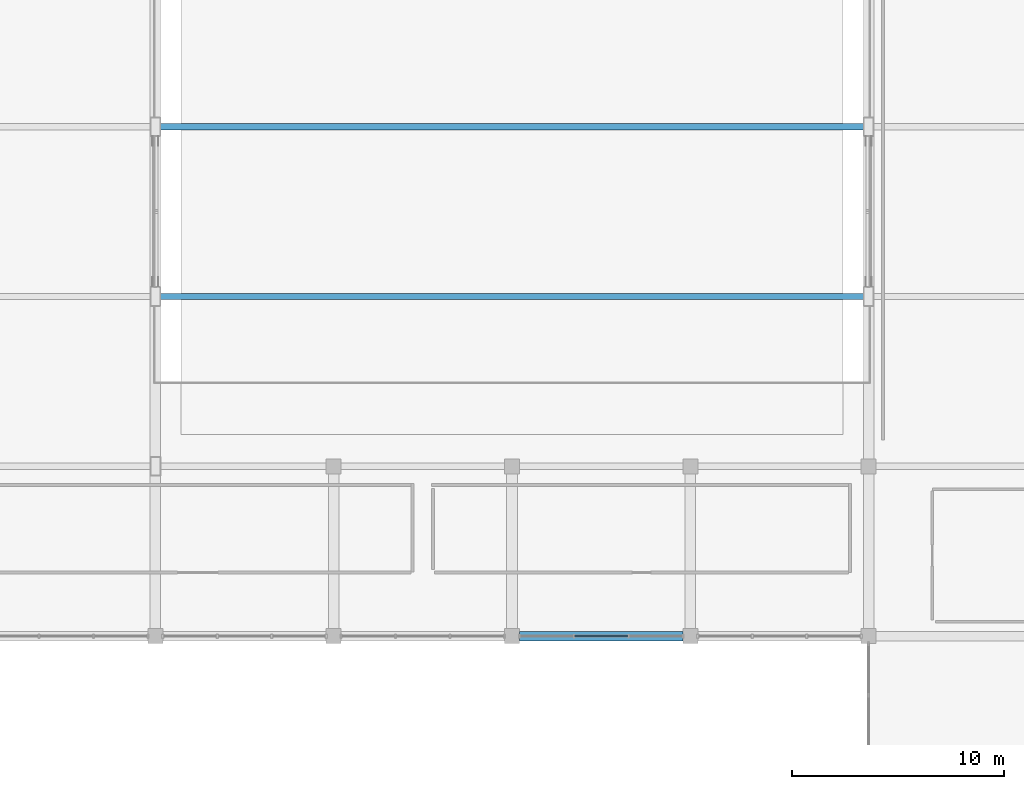
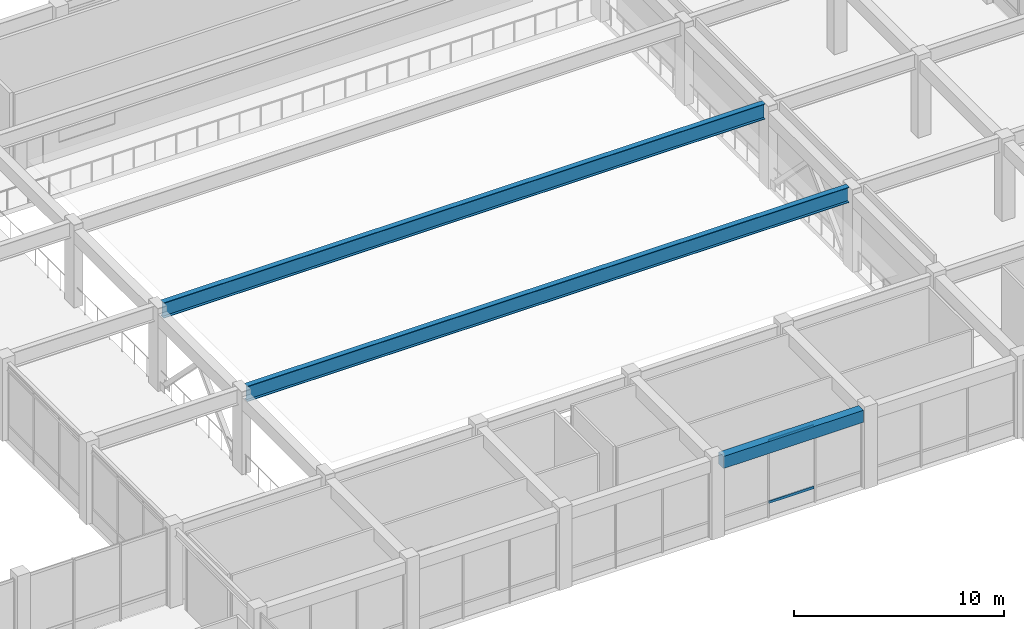
# One storey, part 35 of 76: 3 beams, 2 members, 1 element without a shape of its own.
"""IFC4 building model written with IfcOpenShell, lengths in metres."""

import ifcopenshell
import ifcopenshell.guid

model = None  # the IFC model being written
_history = None  # IfcOwnerHistory: only IFC2X3 demands one
_inside = {}  # id of a spatial element -> (the spatial element, [elements in it])
_under = {}  # id of a project, library or spatial element -> (it, [spatial elements below it])
_declared = {}  # id of a project -> (the project, [libraries it declares])
_typed = {}  # id of a type object -> (the type object, [elements of that type])
_made_of = {}  # id of a material, layer set ... -> (it, [elements and type objects made of it])


def new_model(schema):
    """Start an empty IFC model of exactly this schema.

    Asked for "IFC4X3", IfcOpenShell would pick the latest addendum, in which some entities
    have other attributes; the version numbers below select the first issue.
    IFC2X3 requires an IfcOwnerHistory on every rooted entity: one is made here for all.
    """
    global model, _history
    if schema == "IFC4X3":
        model = ifcopenshell.file(schema_version=(4, 3, 0, 0))
    else:
        model = ifcopenshell.file(schema=schema)
    _inside.clear()
    _under.clear()
    _declared.clear()
    _typed.clear()
    _made_of.clear()
    _history = None
    if model.schema == "IFC2X3":
        org = make("IfcOrganization", Name="unknown")
        user = make(
            "IfcPersonAndOrganization",
            ThePerson=make("IfcPerson", FamilyName="unknown"),
            TheOrganization=org,
        )
        app = make(
            "IfcApplication",
            ApplicationDeveloper=org,
            Version="unknown",
            ApplicationFullName="unknown",
            ApplicationIdentifier="unknown",
        )
        _history = make(
            "IfcOwnerHistory",
            OwningUser=user,
            OwningApplication=app,
            ChangeAction="ADDED",
            CreationDate=0,
        )
    return model


def make(cls, **values):
    """One entity of the class cls with the attributes given. An attribute that is None is left unset."""
    return model.create_entity(
        cls, **{name: value for name, value in values.items() if value is not None}
    )


def rooted(cls, **values):
    """An entity with a GlobalId (a new one), such as an element, a storey or a relation."""
    return make(cls, GlobalId=ifcopenshell.guid.new(), OwnerHistory=_history, **values)


def si_unit(unit_type, name, prefix=None):
    """IfcSIUnit, for example si_unit("LENGTHUNIT", "METRE", prefix="MILLI")."""
    return make("IfcSIUnit", UnitType=unit_type, Prefix=prefix, Name=name)


def assignment(units):
    """IfcUnitAssignment: the units of a project."""
    return None if units is None else make("IfcUnitAssignment", Units=units)


def point(xyz):
    """IfcCartesianPoint."""
    return None if xyz is None else make("IfcCartesianPoint", Coordinates=xyz)


def direction(xyz):
    """IfcDirection."""
    return None if xyz is None else make("IfcDirection", DirectionRatios=xyz)


def frame(location, z_axis=None, x_axis=None):
    """IfcAxis2Placement3D, a coordinate frame: its origin and axes. An axis left out is left unset."""
    return make(
        "IfcAxis2Placement3D",
        Location=point(location),
        Axis=direction(z_axis),
        RefDirection=direction(x_axis),
    )


def frame_2d(location, x_axis=None):
    """IfcAxis2Placement2D, a coordinate frame in the plane: its origin and x axis."""
    return make(
        "IfcAxis2Placement2D", Location=point(location), RefDirection=direction(x_axis)
    )


def origin():
    """The frame at (0, 0, 0) with its axes left unset."""
    return frame((0.0, 0.0, 0.0))


def origin_2d():
    """The frame at (0, 0) in the plane with its x axis left unset."""
    return frame_2d((0.0, 0.0))


def place(relative_to, where):
    """IfcLocalPlacement: puts the frame where relative to a parent placement (None: the world)."""
    return make(
        "IfcLocalPlacement", PlacementRelTo=relative_to, RelativePlacement=where
    )


def context(
    kind, dimensions, precision=None, world=None, true_north=None, identifier=None
):
    """IfcGeometricRepresentationContext, for example the 3D "Model" context."""
    return make(
        "IfcGeometricRepresentationContext",
        ContextIdentifier=identifier,
        ContextType=kind,
        CoordinateSpaceDimension=dimensions,
        Precision=precision,
        WorldCoordinateSystem=world,
        TrueNorth=true_north,
    )


def subcontext(parent, identifier, kind, view, scale=None):
    """IfcGeometricRepresentationSubContext, for example "Body" below "Model"."""
    return make(
        "IfcGeometricRepresentationSubContext",
        ContextIdentifier=identifier,
        ContextType=kind,
        ParentContext=parent,
        TargetScale=scale,
        TargetView=view,
    )


def project(units=None, contexts=None):
    """IfcProject with its units and contexts."""
    return rooted(
        "IfcProject",
        Name="project",
        RepresentationContexts=contexts,
        UnitsInContext=assignment(units),
    )


def spatial(cls, under=None, at=None, **own):
    """A site, building, storey or space (cls), placed at a placement, below another one or the project."""
    s = rooted(cls, ObjectPlacement=at, **own)
    if under is not None:
        _under.setdefault(under.id(), (under, []))[1].append(s)
    return s


def profile(cls, at=None, kind="AREA", **sizes):
    """A parametric profile (cls). Its sizes go by their IFC names, for example OverallWidth=200.0."""
    return make(cls, ProfileType=kind, Position=at, **sizes)


def rectangle(**sizes):
    """IfcRectangleProfileDef."""
    return profile("IfcRectangleProfileDef", **sizes)


def i_section(**sizes):
    """IfcIShapeProfileDef."""
    return profile("IfcIShapeProfileDef", **sizes)


def extrude(swept, where, along, depth):
    """IfcExtrudedAreaSolid: the profile swept, set in the frame where, extruded along a direction by depth."""
    return make(
        "IfcExtrudedAreaSolid",
        SweptArea=swept,
        Position=where,
        ExtrudedDirection=direction(along),
        Depth=depth,
    )


def shape(context_of_items, identifier, shape_type, items):
    """IfcShapeRepresentation: the items that make up one representation, for example the "Body"."""
    return make(
        "IfcShapeRepresentation",
        ContextOfItems=context_of_items,
        RepresentationIdentifier=identifier,
        RepresentationType=shape_type,
        Items=items,
    )


def material(Name=None, Category=None):
    """IfcMaterial."""
    return make("IfcMaterial", Name=Name, Category=Category)


def layer(
    of_material, thickness, ventilated=None, Name=None, Category=None, Priority=None
):
    """IfcMaterialLayer: one layer of a wall or slab, of a material (None: an air gap)."""
    return make(
        "IfcMaterialLayer",
        Material=of_material,
        LayerThickness=thickness,
        IsVentilated=ventilated,
        Name=Name,
        Category=Category,
        Priority=Priority,
    )


def layer_set(layers, Name=None):
    """IfcMaterialLayerSet."""
    return make("IfcMaterialLayerSet", MaterialLayers=layers, LayerSetName=Name)


def material_profile(
    of_material, cross_section, Name=None, Category=None, Priority=None
):
    """IfcMaterialProfile: a cross section and its material."""
    return make(
        "IfcMaterialProfile",
        Name=Name,
        Material=of_material,
        Profile=cross_section,
        Priority=Priority,
        Category=Category,
    )


def profile_set(profiles, Name=None, composite=None):
    """IfcMaterialProfileSet."""
    return make(
        "IfcMaterialProfileSet",
        Name=Name,
        MaterialProfiles=profiles,
        CompositeProfile=composite,
    )


def made_of(thing, what):
    """Note that an element or type object is made of a material, layer set ...; save() writes the relation."""
    if what is not None:
        _made_of.setdefault(what.id(), (what, []))[1].append(thing)
    return thing


def type_object(cls, material=None, **own):
    """A type object (cls), such as IfcWallType, which elements share."""
    return made_of(rooted(cls, **own), material)


def element(
    cls,
    number,
    at=None,
    inside=None,
    cuts=None,
    type_object=None,
    material=None,
    context=None,
    identifier="Body",
    shape_type=None,
    held_by="IfcProductDefinitionShape",
    body=None,
    shapes=None,
    **own,
):
    """One element of the class cls, such as IfcWall. Its Tag is "e" and its number.

    at: its placement. inside: the storey or other place that contains it. cuts: it is an
    opening in that element (IfcRelVoidsElement). A single representation is given by context,
    identifier, shape_type and body (its items); several are given by shapes. held_by: the class
    of the entity that holds the representations. save() writes the other relations.
    """
    e = rooted(cls, Tag="e%d" % number, ObjectPlacement=at, **own)
    if body is not None:
        shapes = [shape(context, identifier, shape_type, body)]
    if shapes is not None:
        e.Representation = make(held_by, Representations=shapes)
    if inside is not None:
        _inside.setdefault(inside.id(), (inside, []))[1].append(e)
    if cuts is not None:
        rooted(
            "IfcRelVoidsElement", RelatingBuildingElement=cuts, RelatedOpeningElement=e
        )
    if type_object is not None:
        _typed.setdefault(type_object.id(), (type_object, []))[1].append(e)
    return made_of(e, material)


def aggregate(whole, parts):
    """IfcRelAggregates: a whole, such as a stair, and the parts it consists of."""
    return rooted("IfcRelAggregates", RelatingObject=whole, RelatedObjects=parts)


def save(model, path):
    """Write the relations noted so far, then the file.

    IfcRelAggregates (storeys below a building ...), IfcRelContainedInSpatialStructure (elements
    in a storey), IfcRelDefinesByType, IfcRelAssociatesMaterial and IfcRelDeclares: one each for
    every whole, place, type object, material and project.
    """
    for whole, parts in _under.values():
        aggregate(whole, parts)
    for where, things in _inside.values():
        rooted(
            "IfcRelContainedInSpatialStructure",
            RelatedElements=things,
            RelatingStructure=where,
        )
    for kind, things in _typed.values():
        rooted("IfcRelDefinesByType", RelatedObjects=things, RelatingType=kind)
    for what, things in _made_of.values():
        rooted("IfcRelAssociatesMaterial", RelatedObjects=things, RelatingMaterial=what)
    for by, libraries in _declared.values():
        rooted("IfcRelDeclares", RelatingContext=by, RelatedDefinitions=libraries)
    model.write(path)


model = new_model("IFC4")

# Units and contexts
model_context = context("Model", 3, precision=1e-05, world=origin(), true_north=direction((0.0, 1.0)))
body_context = subcontext(model_context, "Body", "Model", "MODEL_VIEW")
ifc_project = project(units=[si_unit("LENGTHUNIT", "METRE"), si_unit("AREAUNIT", "SQUARE_METRE"), si_unit("VOLUMEUNIT", "CUBIC_METRE"), si_unit("PLANEANGLEUNIT", "RADIAN"), si_unit("MASSUNIT", "GRAM", prefix="KILO")], contexts=[model_context])

# Site, building, storey
site_placement = place(None, origin())
site = spatial("IfcSite", under=ifc_project, at=site_placement, CompositionType="ELEMENT")
building_placement = place(site_placement, origin())
building = spatial("IfcBuilding", under=site, at=building_placement, Name="Naruveol Harbour Congress Hotel", CompositionType="ELEMENT")
storey_placement = place(building_placement, frame((0.0, 0.0, 11.39990234375)))
storey = spatial("IfcBuildingStorey", under=building, at=storey_placement, Name="L02", CompositionType="ELEMENT", Elevation=11.39990234375)

# Beams
ifc_material_1 = material(Name="Concrete C40/50", Category="concrete")
ifc_material_profile_1 = material_profile(ifc_material_1, rectangle(XDim=0.449951171875, YDim=0.699951171875, at=origin_2d()), Name="RCB-450x700")
ifc_profile_set_1 = profile_set([ifc_material_profile_1], Name="Concrete C40/50")
beam_type_1 = type_object("IfcBeamType", Name="RC SPANDREL BEAM 450X700", PredefinedType="SPANDREL", material=ifc_profile_set_1)
beam_placement = place(storey_placement, frame((92.74609375, 64.0, 4.190185546875), z_axis=(1.0, 0.0, 0.0), x_axis=(0.0, 1.0, 0.0)))
element("IfcBeam", 1, at=beam_placement, inside=storey, type_object=beam_type_1, Name="Floor girder L03 SPB1", PredefinedType="SPANDREL", context=body_context, shape_type="SweptSolid", body=[
    extrude(rectangle(XDim=0.449951171875, YDim=0.699951171875, at=origin_2d()), origin(), (0.0, 0.0, 1.0), 7.7080078125),
])
ifc_material_2 = material(Name="Steel SN490", Category="steel")
ifc_material_profile_2 = material_profile(ifc_material_2, i_section(OverallWidth=0.300048828125, OverallDepth=0.89990234375, WebThickness=0.01611328125, FlangeThickness=0.028076171875, at=origin_2d()), Name="H-900x300x16x28")
ifc_profile_set_2 = profile_set([ifc_material_profile_2], Name="Steel SN490")
beam_type_2 = type_object("IfcBeamType", Name="STEEL BALLROOM GABLE GIRDER H900", PredefinedType="BEAM", material=ifc_profile_set_2)
for number, where, z_axis, x_axis, name in (
    (2, (75.845947265625, 80.0, 4.35009765625), (1.0, 0.0, 0.0), (0.0, 1.0, 0.0), "Ballroom main tie girder BG1"),
    (3, (75.845947265625, 88.0, 4.35009765625), (1.0, 0.0, 0.0), (0.0, 1.0, 0.0), "Ballroom main tie girder BG1"),
):
    element("IfcBeam", number, at=place(storey_placement, frame(where, z_axis=z_axis, x_axis=x_axis)), inside=storey, type_object=beam_type_2, Name=name, PredefinedType="BEAM", context=body_context, shape_type="SweptSolid", body=[
        extrude(i_section(OverallWidth=0.300048828125, OverallDepth=0.89990234375, WebThickness=0.01611328125, FlangeThickness=0.028076171875, at=origin_2d()), origin(), (0.0, 0.0, 1.0), 33.108154296875),
    ])

# Curtain wall, members
ifc_material_3 = material(Name="Low-E Curtain Wall System", Category="glass")
ifc_layer = layer(ifc_material_3, 0.179931640625)
ifc_layer_set = layer_set([ifc_layer], Name="Low-E Curtain Wall System")
curtain_wall_type = type_object("IfcCurtainWallType", Name="UNITISED CURTAIN WALL CW-CTN-41 7700X4500", PredefinedType="USERDEFINED", material=ifc_layer_set)
curtain_wall_placement = place(storey_placement, origin())
curtain_wall = element("IfcCurtainWall", 4, at=curtain_wall_placement, inside=storey, type_object=curtain_wall_type, Name="Unitised curtain wall CW-CTN-41 L02", ObjectType="UNITISED GLAZING", PredefinedType="USERDEFINED")
ifc_material_4 = material(Name="Anodised Aluminium 6063-T6", Category="aluminium")
ifc_material_profile_3 = material_profile(ifc_material_4, rectangle(XDim=0.074951171875, YDim=0.14990234375, at=origin_2d()), Name="ALU-75x150")
ifc_profile_set_3 = profile_set([ifc_material_profile_3], Name="Anodised Aluminium 6063-T6")
member_type = type_object("IfcMemberType", Name="THERMAL ALUMINIUM TRANSOM 75X150", PredefinedType="USERDEFINED", material=ifc_profile_set_3)
member_1_placement = place(storey_placement, frame((97.84326171875, 64.0, 0.85009765625), z_axis=(-1.0, 0.0, 0.0), x_axis=(0.0, -1.0, 0.0)))
member_1 = element("IfcMember", 5, at=member_1_placement, type_object=member_type, Name="Curtain wall transom CW-L02-0110-T1.1", ObjectType="TRANSOM", PredefinedType="USERDEFINED", context=body_context, shape_type="SweptSolid", body=[
    extrude(rectangle(XDim=0.074951171875, YDim=0.14990234375, at=origin_2d()), origin(), (0.0, 0.0, 1.0), 2.486572265625),
])
member_2_placement = place(storey_placement, frame((97.84326171875, 64.0, 4.420166015625), z_axis=(-1.0, 0.0, 0.0), x_axis=(0.0, -1.0, 0.0)))
member_2 = element("IfcMember", 6, at=member_2_placement, type_object=member_type, Name="Curtain wall transom CW-L02-0110-T1.2", ObjectType="TRANSOM", PredefinedType="USERDEFINED", context=body_context, shape_type="SweptSolid", body=[
    extrude(rectangle(XDim=0.074951171875, YDim=0.14990234375, at=origin_2d()), origin(), (0.0, 0.0, 1.0), 2.486572265625),
])
aggregate(curtain_wall, [member_1, member_2])

save(model, "model.ifc")
